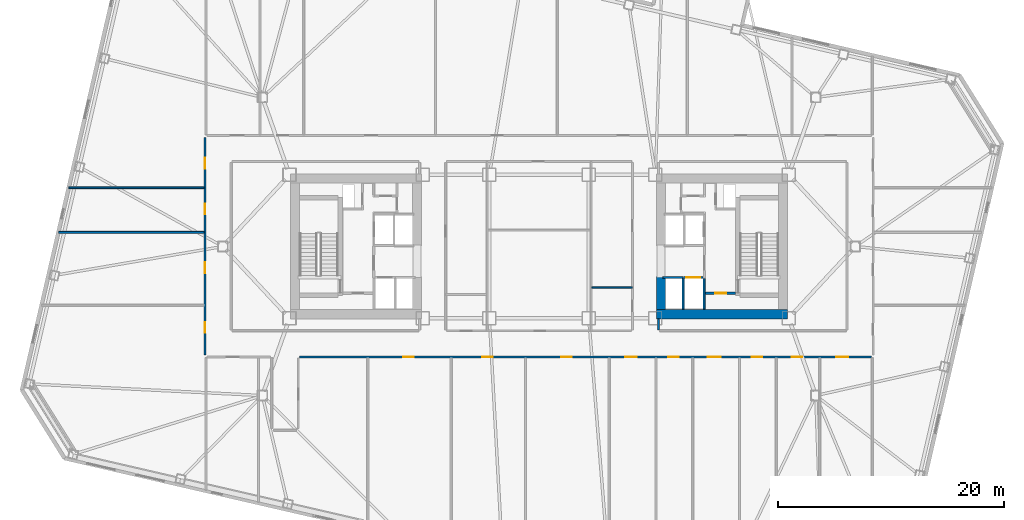
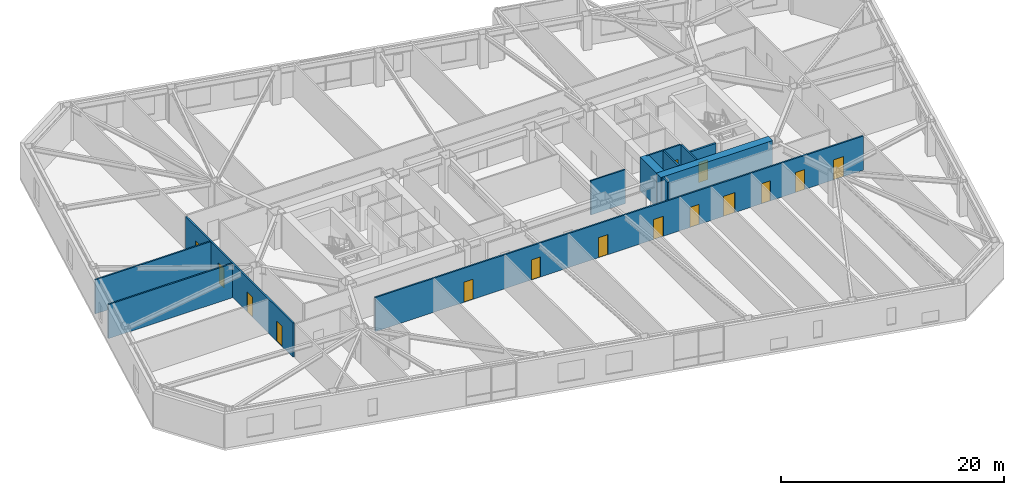
# One storey, part 12 of 21: 15 doors, 13 walls, 15 openings.
"""IFC4 building model written with IfcOpenShell, lengths in metres."""

from ifc_helpers import new_model, si_unit, direction, frame, frame_2d, origin, place, context, subcontext, project, spatial, rectangle, extrude, material, layer, layer_set, type_object, element, fill, save


model = new_model("IFC4")

# Units and contexts
model_context = context("Model", 3, precision=1e-05, world=origin(), true_north=direction((0.0, 1.0)))
body_context = subcontext(model_context, "Body", "Model", "MODEL_VIEW")
ifc_project = project(units=[si_unit("LENGTHUNIT", "METRE"), si_unit("AREAUNIT", "SQUARE_METRE"), si_unit("VOLUMEUNIT", "CUBIC_METRE"), si_unit("PLANEANGLEUNIT", "RADIAN"), si_unit("MASSUNIT", "GRAM", prefix="KILO")], contexts=[model_context])

# Site, building, storey
site_placement = place(None, origin())
site = spatial("IfcSite", under=ifc_project, at=site_placement, CompositionType="ELEMENT")
building_placement = place(site_placement, origin())
building = spatial("IfcBuilding", under=site, at=building_placement, Name="Tavrogorsk Clinical Tower", CompositionType="ELEMENT")
storey_placement = place(building_placement, frame((0.0, 0.0, 71.39990234375)))
storey = spatial("IfcBuildingStorey", under=building, at=storey_placement, Name="L15", CompositionType="ELEMENT", Elevation=71.39990234375)

# Wall, opening, door
ifc_material_1 = material(Name="Concrete B60", Category="concrete")
ifc_layer_1 = layer(ifc_material_1, 0.199951171875)
ifc_layer_set_1 = layer_set([ifc_layer_1], Name="Concrete B60")
wall_type_1 = type_object("IfcWallType", Name="CoreFireWall_200", PredefinedType="SOLIDWALL", material=ifc_layer_set_1)
wall_1_placement = place(storey_placement, frame((14.719970703125, -4.139892578125, 0.0), z_axis=(0.0, 0.0, 1.0), x_axis=(1.0, 0.0, 0.0)))
wall_1 = element("IfcWall", 1, at=wall_1_placement, inside=storey, type_object=wall_type_1, Name="L15 Core East South Core Room Fire Wall", PredefinedType="SOLIDWALL", context=body_context, shape_type="SweptSolid", body=[
    extrude(rectangle(XDim=2.659912109375, YDim=0.199951171875, at=frame_2d((1.330078125, 0.0))), origin(), (0.0, 0.0, 1.0), 3.739990234375),
])
opening_1_placement = place(wall_1_placement, frame((0.8798828125, 0.0, 0.0)))
opening_1 = element("IfcOpeningElement", 2, at=opening_1_placement, cuts=wall_1, Name="Opening ID-02", PredefinedType="OPENING", context=body_context, shape_type="SweptSolid", body=[
    extrude(rectangle(XDim=0.949951171875, YDim=2.199951171875, at=frame_2d((0.47509765625, 1.10009765625))), frame((0.0, 0.10986328125, 0.0), z_axis=(0.0, -1.0, 0.0), x_axis=(1.0, 0.0, 0.0)), (0.0, 0.0, 1.0), 0.219970703125),
])
ifc_material_2 = material(Name="Laminated timber leaf on aluminium frame", Category="wood")
door_type_1 = type_object("IfcDoorType", Name="InteriorDoor_ID02_950", OperationType="NOTDEFINED", PredefinedType="DOOR", material=ifc_material_2)
door_1_placement = place(opening_1_placement, origin())
door_1 = element("IfcDoor", 3, at=door_1_placement, inside=storey, type_object=door_type_1, Name="L15 Core East South Core Room Door", OperationType="SINGLE_SWING_LEFT", OverallHeight=2.199951171875, OverallWidth=0.949951171875, PredefinedType="DOOR", context=body_context, shape_type="SweptSolid", body=[
    extrude(rectangle(XDim=0.949951171875, YDim=2.199951171875, at=frame_2d((0.47509765625, 1.10009765625))), frame((0.0, 0.02490234375, 0.0), z_axis=(0.0, -1.0, 0.0), x_axis=(1.0, 0.0, 0.0)), (0.0, 0.0, 1.0), 0.050048828125),
])
fill(opening_1, door_1)

# Wall
ifc_material_3 = material(Name="Lightweight concrete blockwork B15", Category="masonry")
ifc_layer_2 = layer(ifc_material_3, 0.139892578125)
ifc_layer_set_2 = layer_set([ifc_layer_2], Name="Lightweight concrete blockwork B15")
wall_type_2 = type_object("IfcWallType", Name="PartitionWall_140", PredefinedType="PARTITIONING", material=ifc_layer_set_2)
wall_2_placement = place(storey_placement, frame((4.675048828125, -3.64990234375, 0.0), z_axis=(0.0, 0.0, 1.0), x_axis=(1.0, 0.0, 0.0)))
element("IfcWall", 4, at=wall_2_placement, inside=storey, type_object=wall_type_2, Name="L15 Central Spine Partition 5", PredefinedType="PARTITIONING", context=body_context, shape_type="SweptSolid", body=[
    extrude(rectangle(XDim=3.58984375, YDim=0.139892578125, at=frame_2d((1.794921875, 0.0))), origin(), (0.0, 0.0, 1.0), 3.739990234375),
])

# Wall, openings, doors
ifc_material_4 = material(Name="Lightweight concrete blockwork B15", Category="masonry")
ifc_layer_3 = layer(ifc_material_4, 0.159912109375)
ifc_layer_set_3 = layer_set([ifc_layer_3], Name="Lightweight concrete blockwork B15")
wall_type_3 = type_object("IfcWallType", Name="PartitionWall_160", PredefinedType="PARTITIONING", material=ifc_layer_set_3)
wall_3_placement = place(storey_placement, frame((-29.580078125, -9.614990234375, 0.0), z_axis=(0.0, 0.0, 1.0), x_axis=(0.0, 1.0, 0.0)))
wall_3 = element("IfcWall", 5, at=wall_3_placement, inside=storey, type_object=wall_type_3, Name="L15 Corridor Partition 02", PredefinedType="PARTITIONING", context=body_context, shape_type="SweptSolid", body=[
    extrude(rectangle(XDim=19.280029296875, YDim=0.159912109375, at=frame_2d((9.64013671875, 0.0))), origin(), (0.0, 0.0, 1.0), 3.739990234375),
])
opening_2_placement = place(wall_3_placement, frame((1.968994140625, 0.0, 0.0)))
opening_2 = element("IfcOpeningElement", 6, at=opening_2_placement, cuts=wall_3, Name="Opening ID-02", PredefinedType="OPENING", context=body_context, shape_type="SweptSolid", body=[
    extrude(rectangle(XDim=0.949951171875, YDim=2.199951171875, at=frame_2d((0.47509765625, 1.10009765625))), frame((0.0, 0.08984375, 0.0), z_axis=(0.0, -1.0, 0.0), x_axis=(1.0, 0.0, 0.0)), (0.0, 0.0, 1.0), 0.179931640625),
])
opening_3_placement = place(wall_3_placement, frame((7.25, 0.0, 0.0)))
opening_3 = element("IfcOpeningElement", 7, at=opening_3_placement, cuts=wall_3, Name="Opening ID-02", PredefinedType="OPENING", context=body_context, shape_type="SweptSolid", body=[
    extrude(rectangle(XDim=0.949951171875, YDim=2.199951171875, at=frame_2d((0.47509765625, 1.10009765625))), frame((0.0, 0.08984375, 0.0), z_axis=(0.0, -1.0, 0.0), x_axis=(1.0, 0.0, 0.0)), (0.0, 0.0, 1.0), 0.179931640625),
])
opening_4_placement = place(wall_3_placement, frame((12.449951171875, 0.0, 0.0)))
opening_4 = element("IfcOpeningElement", 8, at=opening_4_placement, cuts=wall_3, Name="Opening ID-02", PredefinedType="OPENING", context=body_context, shape_type="SweptSolid", body=[
    extrude(rectangle(XDim=0.949951171875, YDim=2.199951171875, at=frame_2d((0.47509765625, 1.10009765625))), frame((0.0, 0.08984375, 0.0), z_axis=(0.0, -1.0, 0.0), x_axis=(1.0, 0.0, 0.0)), (0.0, 0.0, 1.0), 0.179931640625),
])
opening_5_placement = place(wall_3_placement, frame((16.505859375, 0.0, 0.0)))
opening_5 = element("IfcOpeningElement", 9, at=opening_5_placement, cuts=wall_3, Name="Opening ID-02", PredefinedType="OPENING", context=body_context, shape_type="SweptSolid", body=[
    extrude(rectangle(XDim=0.949951171875, YDim=2.199951171875, at=frame_2d((0.47509765625, 1.10009765625))), frame((0.0, 0.08984375, 0.0), z_axis=(0.0, -1.0, 0.0), x_axis=(1.0, 0.0, 0.0)), (0.0, 0.0, 1.0), 0.179931640625),
])
door_2_placement = place(opening_2_placement, origin())
door_2 = element("IfcDoor", 10, at=door_2_placement, inside=storey, type_object=door_type_1, Name="L15 W Solarium Day Room & Lounge 1 Door", OperationType="SINGLE_SWING_LEFT", OverallHeight=2.199951171875, OverallWidth=0.949951171875, PredefinedType="DOOR", context=body_context, shape_type="SweptSolid", body=[
    extrude(rectangle(XDim=0.949951171875, YDim=2.199951171875, at=frame_2d((0.47509765625, 1.10009765625))), frame((0.0, 0.02490234375, 0.0), z_axis=(0.0, -1.0, 0.0), x_axis=(1.0, 0.0, 0.0)), (0.0, 0.0, 1.0), 0.050048828125),
])
fill(opening_2, door_2)
door_3_placement = place(opening_3_placement, origin())
door_3 = element("IfcDoor", 11, at=door_3_placement, inside=storey, type_object=door_type_1, Name="L15 W Rehabilitation Therapy Suite 2 Door", OperationType="SINGLE_SWING_RIGHT", OverallHeight=2.199951171875, OverallWidth=0.949951171875, PredefinedType="DOOR", context=body_context, shape_type="SweptSolid", body=[
    extrude(rectangle(XDim=0.949951171875, YDim=2.199951171875, at=frame_2d((0.47509765625, 1.10009765625))), frame((0.0, 0.02490234375, 0.0), z_axis=(0.0, -1.0, 0.0), x_axis=(1.0, 0.0, 0.0)), (0.0, 0.0, 1.0), 0.050048828125),
])
fill(opening_3, door_3)
door_4_placement = place(opening_4_placement, origin())
door_4 = element("IfcDoor", 12, at=door_4_placement, inside=storey, type_object=door_type_1, Name="L15 W Sub-Acute Observation Suite 3 Door", OperationType="SINGLE_SWING_LEFT", OverallHeight=2.199951171875, OverallWidth=0.949951171875, PredefinedType="DOOR", context=body_context, shape_type="SweptSolid", body=[
    extrude(rectangle(XDim=0.949951171875, YDim=2.199951171875, at=frame_2d((0.47509765625, 1.10009765625))), frame((0.0, 0.02490234375, 0.0), z_axis=(0.0, -1.0, 0.0), x_axis=(1.0, 0.0, 0.0)), (0.0, 0.0, 1.0), 0.050048828125),
])
fill(opening_4, door_4)
door_5_placement = place(opening_5_placement, origin())
door_5 = element("IfcDoor", 13, at=door_5_placement, inside=storey, type_object=door_type_1, Name="L15 W Family Consultation Lounge 4 Door", OperationType="SINGLE_SWING_RIGHT", OverallHeight=2.199951171875, OverallWidth=0.949951171875, PredefinedType="DOOR", context=body_context, shape_type="SweptSolid", body=[
    extrude(rectangle(XDim=0.949951171875, YDim=2.199951171875, at=frame_2d((0.47509765625, 1.10009765625))), frame((0.0, 0.02490234375, 0.0), z_axis=(0.0, -1.0, 0.0), x_axis=(1.0, 0.0, 0.0)), (0.0, 0.0, 1.0), 0.050048828125),
])
fill(opening_5, door_5)

wall_4_placement = place(storey_placement, frame((29.4150390625, -9.780029296875, 0.0), z_axis=(0.0, 0.0, 1.0), x_axis=(-1.0, 0.0, 0.0)))
wall_4 = element("IfcWall", 14, at=wall_4_placement, inside=storey, type_object=wall_type_3, Name="L15 Corridor Partition 05", PredefinedType="PARTITIONING", context=body_context, shape_type="SweptSolid", body=[
    extrude(rectangle(XDim=50.650146484375, YDim=0.159912109375, at=frame_2d((25.3251953125, 0.0))), origin(), (0.0, 0.0, 1.0), 3.739990234375),
])
opening_6_placement = place(wall_4_placement, frame((40.5, 0.0, 0.0)))
opening_6 = element("IfcOpeningElement", 15, at=opening_6_placement, cuts=wall_4, Name="Opening ID-02", PredefinedType="OPENING", context=body_context, shape_type="SweptSolid", body=[
    extrude(rectangle(XDim=0.949951171875, YDim=2.199951171875, at=frame_2d((0.47509765625, 1.10009765625))), frame((0.0, 0.08984375, 0.0), z_axis=(0.0, -1.0, 0.0), x_axis=(1.0, 0.0, 0.0)), (0.0, 0.0, 1.0), 0.179931640625),
])
opening_7_placement = place(wall_4_placement, frame((33.52001953125, 0.0, 0.0)))
opening_7 = element("IfcOpeningElement", 16, at=opening_7_placement, cuts=wall_4, Name="Opening ID-02", PredefinedType="OPENING", context=body_context, shape_type="SweptSolid", body=[
    extrude(rectangle(XDim=0.949951171875, YDim=2.199951171875, at=frame_2d((0.47509765625, 1.10009765625))), frame((0.0, 0.08984375, 0.0), z_axis=(0.0, -1.0, 0.0), x_axis=(1.0, 0.0, 0.0)), (0.0, 0.0, 1.0), 0.179931640625),
])
opening_8_placement = place(wall_4_placement, frame((26.52490234375, 0.0, 0.0)))
opening_8 = element("IfcOpeningElement", 17, at=opening_8_placement, cuts=wall_4, Name="Opening ID-02", PredefinedType="OPENING", context=body_context, shape_type="SweptSolid", body=[
    extrude(rectangle(XDim=0.949951171875, YDim=2.199951171875, at=frame_2d((0.47509765625, 1.10009765625))), frame((0.0, 0.08984375, 0.0), z_axis=(0.0, -1.0, 0.0), x_axis=(1.0, 0.0, 0.0)), (0.0, 0.0, 1.0), 0.179931640625),
])
opening_9_placement = place(wall_4_placement, frame((20.75, 0.0, 0.0)))
opening_9 = element("IfcOpeningElement", 18, at=opening_9_placement, cuts=wall_4, Name="Opening ID-04", PredefinedType="OPENING", context=body_context, shape_type="SweptSolid", body=[
    extrude(rectangle(XDim=1.050048828125, YDim=2.199951171875, at=frame_2d((0.52490234375, 1.10009765625))), frame((0.0, 0.08984375, 0.0), z_axis=(0.0, -1.0, 0.0), x_axis=(1.0, 0.0, 0.0)), (0.0, 0.0, 1.0), 0.179931640625),
])
opening_10_placement = place(wall_4_placement, frame((17.050048828125, 0.0, 0.0)))
opening_10 = element("IfcOpeningElement", 19, at=opening_10_placement, cuts=wall_4, Name="Opening ID-02", PredefinedType="OPENING", context=body_context, shape_type="SweptSolid", body=[
    extrude(rectangle(XDim=0.949951171875, YDim=2.199951171875, at=frame_2d((0.47509765625, 1.10009765625))), frame((0.0, 0.08984375, 0.0), z_axis=(0.0, -1.0, 0.0), x_axis=(1.0, 0.0, 0.0)), (0.0, 0.0, 1.0), 0.179931640625),
])
opening_11_placement = place(wall_4_placement, frame((13.35009765625, 0.0, 0.0)))
opening_11 = element("IfcOpeningElement", 20, at=opening_11_placement, cuts=wall_4, Name="Opening ID-06", PredefinedType="OPENING", context=body_context, shape_type="SweptSolid", body=[
    extrude(rectangle(XDim=1.14990234375, YDim=2.199951171875, at=frame_2d((0.574951171875, 1.10009765625))), frame((0.0, 0.08984375, 0.0), z_axis=(0.0, -1.0, 0.0), x_axis=(1.0, 0.0, 0.0)), (0.0, 0.0, 1.0), 0.179931640625),
])
opening_12_placement = place(wall_4_placement, frame((9.64990234375, 0.0, 0.0)))
opening_12 = element("IfcOpeningElement", 21, at=opening_12_placement, cuts=wall_4, Name="Opening ID-02", PredefinedType="OPENING", context=body_context, shape_type="SweptSolid", body=[
    extrude(rectangle(XDim=0.949951171875, YDim=2.199951171875, at=frame_2d((0.47509765625, 1.10009765625))), frame((0.0, 0.08984375, 0.0), z_axis=(0.0, -1.0, 0.0), x_axis=(1.0, 0.0, 0.0)), (0.0, 0.0, 1.0), 0.179931640625),
])
opening_13_placement = place(wall_4_placement, frame((6.10009765625, 0.0, 0.0)))
opening_13 = element("IfcOpeningElement", 22, at=opening_13_placement, cuts=wall_4, Name="Opening ID-02", PredefinedType="OPENING", context=body_context, shape_type="SweptSolid", body=[
    extrude(rectangle(XDim=0.949951171875, YDim=2.199951171875, at=frame_2d((0.47509765625, 1.10009765625))), frame((0.0, 0.08984375, 0.0), z_axis=(0.0, -1.0, 0.0), x_axis=(1.0, 0.0, 0.0)), (0.0, 0.0, 1.0), 0.179931640625),
])
opening_14_placement = place(wall_4_placement, frame((2.044189453125, 0.0, 0.0)))
opening_14 = element("IfcOpeningElement", 23, at=opening_14_placement, cuts=wall_4, Name="Opening ID-04", PredefinedType="OPENING", context=body_context, shape_type="SweptSolid", body=[
    extrude(rectangle(XDim=1.050048828125, YDim=2.199951171875, at=frame_2d((0.52490234375, 1.10009765625))), frame((0.0, 0.08984375, 0.0), z_axis=(0.0, -1.0, 0.0), x_axis=(1.0, 0.0, 0.0)), (0.0, 0.0, 1.0), 0.179931640625),
])
ifc_material_5 = material(Name="Antibacterial HPL consultation door on aluminium frame", Category="aluminium")
door_type_2 = type_object("IfcDoorType", Name="ConsultDoor_ID04_1050", OperationType="NOTDEFINED", PredefinedType="DOOR", material=ifc_material_5)
door_6_placement = place(opening_9_placement, origin())
door_6 = element("IfcDoor", 24, at=door_6_placement, inside=storey, type_object=door_type_2, Name="L15 South Rehabilitation Case Seminar Room 06A Door", OperationType="SINGLE_SWING_LEFT", OverallHeight=2.199951171875, OverallWidth=1.050048828125, PredefinedType="DOOR", context=body_context, shape_type="SweptSolid", body=[
    extrude(rectangle(XDim=1.050048828125, YDim=2.199951171875, at=frame_2d((0.52490234375, 1.10009765625))), frame((0.0, 0.02490234375, 0.0), z_axis=(0.0, -1.0, 0.0), x_axis=(1.0, 0.0, 0.0)), (0.0, 0.0, 1.0), 0.050048828125),
])
fill(opening_9, door_6)
door_7_placement = place(opening_14_placement, origin())
door_7 = element("IfcDoor", 25, at=door_7_placement, inside=storey, type_object=door_type_2, Name="L15 South Speech & Occupational Therapy Office 09 Door", OperationType="SINGLE_SWING_RIGHT", OverallHeight=2.199951171875, OverallWidth=1.050048828125, PredefinedType="DOOR", context=body_context, shape_type="SweptSolid", body=[
    extrude(rectangle(XDim=1.050048828125, YDim=2.199951171875, at=frame_2d((0.52490234375, 1.10009765625))), frame((0.0, 0.02490234375, 0.0), z_axis=(0.0, -1.0, 0.0), x_axis=(1.0, 0.0, 0.0)), (0.0, 0.0, 1.0), 0.050048828125),
])
fill(opening_14, door_7)
door_8_placement = place(opening_6_placement, origin())
door_8 = element("IfcDoor", 26, at=door_8_placement, inside=storey, type_object=door_type_1, Name="L15 South Speech & Occupational Therapy Office 03 Door", OperationType="SINGLE_SWING_RIGHT", OverallHeight=2.199951171875, OverallWidth=0.949951171875, PredefinedType="DOOR", context=body_context, shape_type="SweptSolid", body=[
    extrude(rectangle(XDim=0.949951171875, YDim=2.199951171875, at=frame_2d((0.47509765625, 1.10009765625))), frame((0.0, 0.02490234375, 0.0), z_axis=(0.0, -1.0, 0.0), x_axis=(1.0, 0.0, 0.0)), (0.0, 0.0, 1.0), 0.050048828125),
])
fill(opening_6, door_8)
door_9_placement = place(opening_7_placement, origin())
door_9 = element("IfcDoor", 27, at=door_9_placement, inside=storey, type_object=door_type_1, Name="L15 South Rehabilitation Case Seminar Room 04 Door", OperationType="SINGLE_SWING_LEFT", OverallHeight=2.199951171875, OverallWidth=0.949951171875, PredefinedType="DOOR", context=body_context, shape_type="SweptSolid", body=[
    extrude(rectangle(XDim=0.949951171875, YDim=2.199951171875, at=frame_2d((0.47509765625, 1.10009765625))), frame((0.0, 0.02490234375, 0.0), z_axis=(0.0, -1.0, 0.0), x_axis=(1.0, 0.0, 0.0)), (0.0, 0.0, 1.0), 0.050048828125),
])
fill(opening_7, door_9)
door_10_placement = place(opening_8_placement, origin())
door_10 = element("IfcDoor", 28, at=door_10_placement, inside=storey, type_object=door_type_1, Name="L15 South Speech & Occupational Therapy Office 05 Door", OperationType="SINGLE_SWING_RIGHT", OverallHeight=2.199951171875, OverallWidth=0.949951171875, PredefinedType="DOOR", context=body_context, shape_type="SweptSolid", body=[
    extrude(rectangle(XDim=0.949951171875, YDim=2.199951171875, at=frame_2d((0.47509765625, 1.10009765625))), frame((0.0, 0.02490234375, 0.0), z_axis=(0.0, -1.0, 0.0), x_axis=(1.0, 0.0, 0.0)), (0.0, 0.0, 1.0), 0.050048828125),
])
fill(opening_8, door_10)
door_11_placement = place(opening_10_placement, origin())
door_11 = element("IfcDoor", 29, at=door_11_placement, inside=storey, type_object=door_type_1, Name="L15 South Patient Mobility Lounge 06B Door", OperationType="SINGLE_SWING_RIGHT", OverallHeight=2.199951171875, OverallWidth=0.949951171875, PredefinedType="DOOR", context=body_context, shape_type="SweptSolid", body=[
    extrude(rectangle(XDim=0.949951171875, YDim=2.199951171875, at=frame_2d((0.47509765625, 1.10009765625))), frame((0.0, 0.02490234375, 0.0), z_axis=(0.0, -1.0, 0.0), x_axis=(1.0, 0.0, 0.0)), (0.0, 0.0, 1.0), 0.050048828125),
])
fill(opening_10, door_11)
door_12_placement = place(opening_12_placement, origin())
door_12 = element("IfcDoor", 30, at=door_12_placement, inside=storey, type_object=door_type_1, Name="L15 South Orthotics & Mobility Equipment Store 07B Door", OperationType="SINGLE_SWING_RIGHT", OverallHeight=2.199951171875, OverallWidth=0.949951171875, PredefinedType="DOOR", context=body_context, shape_type="SweptSolid", body=[
    extrude(rectangle(XDim=0.949951171875, YDim=2.199951171875, at=frame_2d((0.47509765625, 1.10009765625))), frame((0.0, 0.02490234375, 0.0), z_axis=(0.0, -1.0, 0.0), x_axis=(1.0, 0.0, 0.0)), (0.0, 0.0, 1.0), 0.050048828125),
])
fill(opening_12, door_12)
door_13_placement = place(opening_13_placement, origin())
door_13 = element("IfcDoor", 31, at=door_13_placement, inside=storey, type_object=door_type_1, Name="L15 South Rehabilitation Case Seminar Room 08 Door", OperationType="SINGLE_SWING_LEFT", OverallHeight=2.199951171875, OverallWidth=0.949951171875, PredefinedType="DOOR", context=body_context, shape_type="SweptSolid", body=[
    extrude(rectangle(XDim=0.949951171875, YDim=2.199951171875, at=frame_2d((0.47509765625, 1.10009765625))), frame((0.0, 0.02490234375, 0.0), z_axis=(0.0, -1.0, 0.0), x_axis=(1.0, 0.0, 0.0)), (0.0, 0.0, 1.0), 0.050048828125),
])
fill(opening_13, door_13)
ifc_material_6 = material(Name="Antibacterial HPL procedure door on aluminium frame", Category="aluminium")
door_type_3 = type_object("IfcDoorType", Name="LabDoor_ID06_1150", OperationType="NOTDEFINED", PredefinedType="DOOR", material=ifc_material_6)
door_14_placement = place(opening_11_placement, origin())
door_14 = element("IfcDoor", 32, at=door_14_placement, inside=storey, type_object=door_type_3, Name="L15 South Speech & Occupational Therapy Office 07A Door", OperationType="SINGLE_SWING_LEFT", OverallHeight=2.199951171875, OverallWidth=1.14990234375, PredefinedType="DOOR", context=body_context, shape_type="SweptSolid", body=[
    extrude(rectangle(XDim=1.14990234375, YDim=2.199951171875, at=frame_2d((0.574951171875, 1.10009765625))), frame((0.0, 0.02490234375, 0.0), z_axis=(0.0, -1.0, 0.0), x_axis=(1.0, 0.0, 0.0)), (0.0, 0.0, 1.0), 0.050048828125),
])
fill(opening_11, door_14)

# Walls
wall_5_placement = place(storey_placement, frame((10.580078125, -6.419921875, 0.0), z_axis=(0.0, 0.0, 1.0), x_axis=(0.0, -1.0, 0.0)))
element("IfcWall", 33, at=wall_5_placement, inside=storey, type_object=wall_type_3, Name="L15 Corridor Partition 11", PredefinedType="PARTITIONING", context=body_context, shape_type="SweptSolid", body=[
    extrude(rectangle(XDim=0.965087890625, YDim=0.159912109375, at=frame_2d((0.482421875, 0.0))), origin(), (0.0, 0.0, 1.0), 3.739990234375),
])
wall_6_placement = place(storey_placement, frame((-42.552978515625, 1.25, 0.0), z_axis=(0.0, 0.0, 1.0), x_axis=(1.0, 0.0, 0.0)))
element("IfcWall", 34, at=wall_6_placement, inside=storey, type_object=wall_type_3, Name="L15 W Wing Divider 2", PredefinedType="PARTITIONING", context=body_context, shape_type="SweptSolid", body=[
    extrude(rectangle(XDim=12.887939453125, YDim=0.159912109375, at=frame_2d((6.44384765625, 0.0))), origin(), (0.0, 0.0, 1.0), 3.739990234375),
])
wall_7_placement = place(storey_placement, frame((-41.64111328125, 5.199951171875, 0.0), z_axis=(0.0, 0.0, 1.0), x_axis=(1.0, 0.0, 0.0)))
element("IfcWall", 35, at=wall_7_placement, inside=storey, type_object=wall_type_3, Name="L15 W Wing Divider 3", PredefinedType="PARTITIONING", context=body_context, shape_type="SweptSolid", body=[
    extrude(rectangle(XDim=11.97607421875, YDim=0.159912109375, at=frame_2d((5.988037109375, 0.0))), origin(), (0.0, 0.0, 1.0), 3.739990234375),
])

# Wall, opening, door
ifc_material_7 = material(Name="Lightweight concrete blockwork B25", Category="masonry")
ifc_layer_4 = layer(ifc_material_7, 0.159912109375)
ifc_layer_set_4 = layer_set([ifc_layer_4], Name="Lightweight concrete blockwork B25")
wall_type_4 = type_object("IfcWallType", Name="ShaftWall_160", PredefinedType="PARTITIONING", material=ifc_layer_set_4)
wall_8_placement = place(storey_placement, frame((12.77001953125, -2.75, 0.0), z_axis=(0.0, 0.0, 1.0), x_axis=(1.0, 0.0, 0.0)))
wall_8 = element("IfcWall", 36, at=wall_8_placement, inside=storey, type_object=wall_type_4, Name="L15 LP-L2 Lift Shaft Portal Wall", PredefinedType="PARTITIONING", context=body_context, shape_type="SweptSolid", body=[
    extrude(rectangle(XDim=1.760009765625, YDim=0.159912109375, at=frame_2d((0.8798828125, 0.0))), origin(), (0.0, 0.0, 1.0), 3.739990234375),
])
opening_15_placement = place(wall_8_placement, frame((0.280029296875, 0.0, 0.0)))
opening_15 = element("IfcOpeningElement", 37, at=opening_15_placement, cuts=wall_8, Name="Opening LD", PredefinedType="OPENING", context=body_context, shape_type="SweptSolid", body=[
    extrude(rectangle(XDim=1.199951171875, YDim=2.199951171875, at=frame_2d((0.60009765625, 1.10009765625))), frame((0.0, 0.08984375, 0.0), z_axis=(0.0, -1.0, 0.0), x_axis=(1.0, 0.0, 0.0)), (0.0, 0.0, 1.0), 0.179931640625),
])
ifc_material_8 = material(Name="Brushed stainless steel AISI 304 sliding doors", Category="steel")
door_type_4 = type_object("IfcDoorType", Name="LiftLandingDoor_LD_1200", OperationType="SLIDING_TO_LEFT", PredefinedType="DOOR", material=ifc_material_8)
door_15_placement = place(opening_15_placement, origin())
door_15 = element("IfcDoor", 38, at=door_15_placement, inside=storey, type_object=door_type_4, Name="L15 LP-L2 Sliding Lift Landing Door", OperationType="SLIDING_TO_LEFT", OverallHeight=2.199951171875, OverallWidth=1.199951171875, PredefinedType="DOOR", context=body_context, shape_type="SweptSolid", body=[
    extrude(rectangle(XDim=1.199951171875, YDim=2.199951171875, at=frame_2d((0.60009765625, 1.10009765625))), frame((0.0, 0.02490234375, 0.0), z_axis=(0.0, -1.0, 0.0), x_axis=(1.0, 0.0, 0.0)), (0.0, 0.0, 1.0), 0.050048828125),
])
fill(opening_15, door_15)

# Walls
for number, where, z_axis, x_axis, name in (
    (39, (12.75, -5.5400390625, 0.0), (0.0, 0.0, 1.0), (0.0, 1.0, 0.0), "L15 LP-L2 Lift Hoistway Divider Wall"),
    (40, (14.610107421875, -5.5400390625, 0.0), (0.0, 0.0, 1.0), (0.0, 1.0, 0.0), "L15 LP-L2 Lift Hoistway Outer Cheek Wall"),
):
    element("IfcWall", number, at=place(storey_placement, frame(where, z_axis=z_axis, x_axis=x_axis)), inside=storey, type_object=wall_type_4, Name=name, PredefinedType="PARTITIONING", context=body_context, shape_type="SweptSolid", body=[
        extrude(rectangle(XDim=2.699951171875, YDim=0.159912109375, at=frame_2d((1.35009765625, 0.0))), origin(), (0.0, 0.0, 1.0), 3.739990234375),
    ])
wall_9_placement = place(storey_placement, frame((10.969970703125, -2.75, 0.0), z_axis=(0.0, 0.0, 1.0), x_axis=(1.0, 0.0, 0.0)))
element("IfcWall", 41, at=wall_9_placement, inside=storey, type_object=wall_type_4, Name="L15 LP-M2 Lift Shaft Portal Wall", PredefinedType="PARTITIONING", context=body_context, shape_type="SweptSolid", body=[
    extrude(rectangle(XDim=1.760009765625, YDim=0.159912109375, at=frame_2d((0.8798828125, 0.0))), origin(), (0.0, 0.0, 1.0), 3.739990234375),
])
ifc_material_9 = material(Name="Concrete B80", Category="concrete")
ifc_layer_5 = layer(ifc_material_9, 0.800048828125)
ifc_layer_set_5 = layer_set([ifc_layer_5], Name="Concrete B80")
wall_type_5 = type_object("IfcWallType", Name="ShearWall_800", PredefinedType="SHEAR", material=ifc_layer_set_5)
wall_10_placement = place(storey_placement, frame((10.39990234375, -6.0, 0.0), z_axis=(0.0, 0.0, 1.0), x_axis=(1.0, 0.0, 0.0)))
element("IfcWall", 42, at=wall_10_placement, inside=storey, type_object=wall_type_5, Name="L15 Core East South Shear Wall", PredefinedType="SHEAR", context=body_context, shape_type="SweptSolid", body=[
    extrude(rectangle(XDim=11.60009765625, YDim=0.800048828125, at=frame_2d((5.800048828125, 0.0))), origin(), (0.0, 0.0, 1.0), 3.739990234375),
])
wall_11_placement = place(storey_placement, frame((10.800048828125, -5.60009765625, 0.0), z_axis=(0.0, 0.0, 1.0), x_axis=(0.0, 1.0, 0.0)))
element("IfcWall", 43, at=wall_11_placement, inside=storey, type_object=wall_type_5, Name="L15 Core East Inner South Pier", PredefinedType="SHEAR", context=body_context, shape_type="SweptSolid", body=[
    extrude(rectangle(XDim=2.9501953125, YDim=0.800048828125, at=frame_2d((1.47509765625, 0.0))), origin(), (0.0, 0.0, 1.0), 3.739990234375),
])

save(model, "model.ifc")
